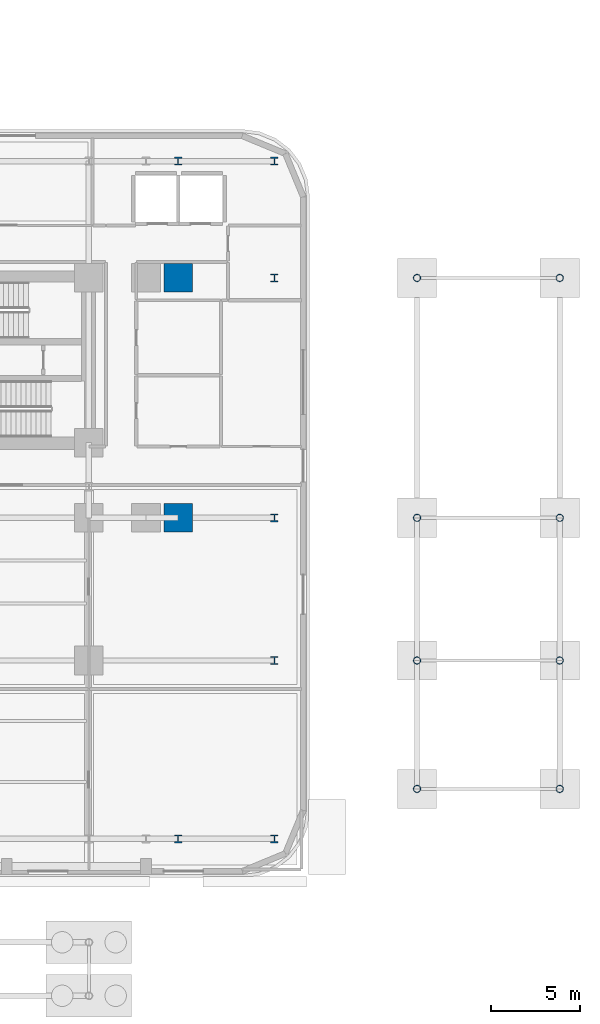
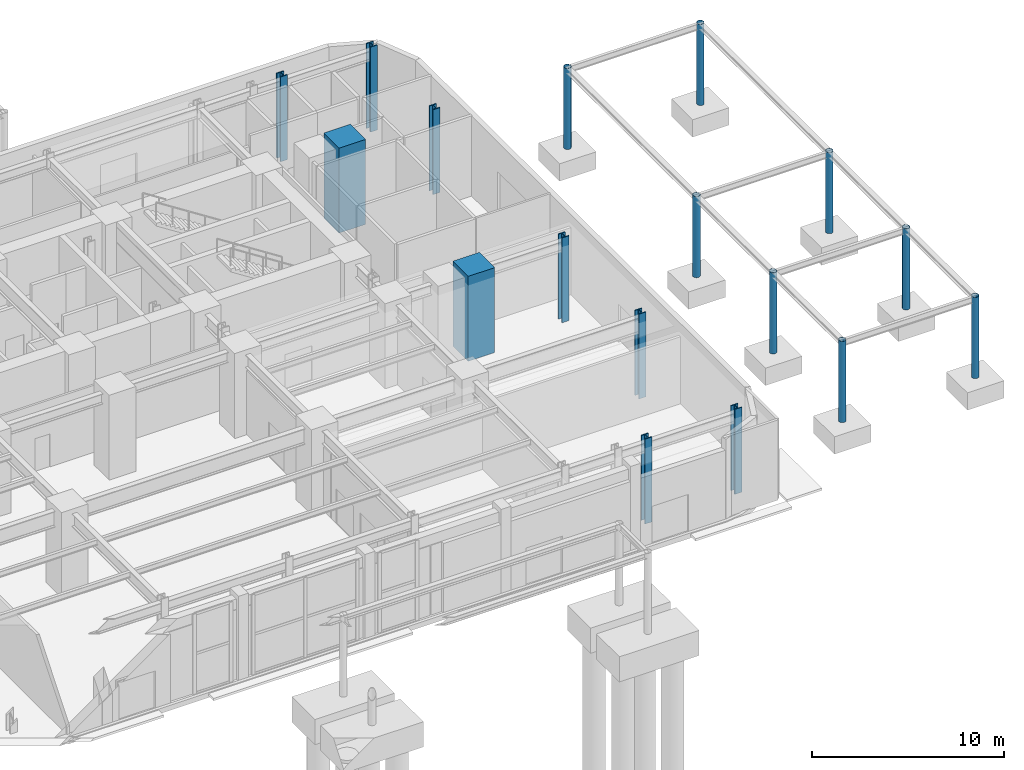
# One storey, part 6 of 21: 17 columns.
"""IFC4 building model written with IfcOpenShell, lengths in metres."""

from ifc_helpers import new_model, si_unit, direction, frame, origin, origin_2d, place, context, subcontext, project, spatial, rectangle, hollow_circle, i_section, extrude, material, material_profile, profile_set, type_object, element, save


model = new_model("IFC4")

# Units and contexts
model_context = context("Model", 3, precision=1e-05, world=origin(), true_north=direction((0.0, 1.0)))
body_context = subcontext(model_context, "Body", "Model", "MODEL_VIEW")
ifc_project = project(units=[si_unit("LENGTHUNIT", "METRE"), si_unit("AREAUNIT", "SQUARE_METRE"), si_unit("VOLUMEUNIT", "CUBIC_METRE"), si_unit("PLANEANGLEUNIT", "RADIAN"), si_unit("MASSUNIT", "GRAM", prefix="KILO")], contexts=[model_context])

# Site, building, storey
site_placement = place(None, origin())
site = spatial("IfcSite", under=ifc_project, at=site_placement, CompositionType="ELEMENT")
building_placement = place(site_placement, origin())
building = spatial("IfcBuilding", under=site, at=building_placement, Name="Zarnavel Station Tower", CompositionType="ELEMENT")
storey_placement = place(building_placement, origin())
storey = spatial("IfcBuildingStorey", under=building, at=storey_placement, Name="L01", CompositionType="ELEMENT", Elevation=0.0)

# Columns
ifc_material_1 = material(Name="Steel S355J2", Category="steel")
ifc_material_profile_1 = material_profile(ifc_material_1, hollow_circle(Radius=0.203125, WallThickness=0.01611328125, at=origin_2d()), Name="CHS406.4x16")
ifc_profile_set_1 = profile_set([ifc_material_profile_1], Name="Steel S355J2")
column_type_1 = type_object("IfcColumnType", Name="EC_CANOPY", PredefinedType="COLUMN", material=ifc_profile_set_1)
for number, where, z_axis, x_axis, name in (
    (1, (63.800048828125, 8.39990234375, 0.0), (0.0, 0.0, 1.0), (1.0, 0.0, 0.0), "L01 East Forecourt Canopy Column 1-01"),
    (2, (63.800048828125, 15.60009765625, 0.0), (0.0, 0.0, 1.0), (1.0, 0.0, 0.0), "L01 East Forecourt Canopy Column 1-02"),
    (3, (63.800048828125, 23.60009765625, 0.0), (0.0, 0.0, 1.0), (1.0, 0.0, 0.0), "L01 East Forecourt Canopy Column 1-03"),
    (4, (63.800048828125, 37.050048828125, 0.0), (0.0, 0.0, 1.0), (1.0, 0.0, 0.0), "L01 East Forecourt Canopy Column 1-04"),
    (5, (71.800048828125, 8.39990234375, 0.0), (0.0, 0.0, 1.0), (1.0, 0.0, 0.0), "L01 East Forecourt Canopy Column 2-01"),
    (6, (71.800048828125, 15.60009765625, 0.0), (0.0, 0.0, 1.0), (1.0, 0.0, 0.0), "L01 East Forecourt Canopy Column 2-02"),
    (7, (71.800048828125, 23.60009765625, 0.0), (0.0, 0.0, 1.0), (1.0, 0.0, 0.0), "L01 East Forecourt Canopy Column 2-03"),
    (8, (71.800048828125, 37.050048828125, 0.0), (0.0, 0.0, 1.0), (1.0, 0.0, 0.0), "L01 East Forecourt Canopy Column 2-04"),
):
    element("IfcColumn", number, at=place(storey_placement, frame(where, z_axis=z_axis, x_axis=x_axis)), inside=storey, type_object=column_type_1, Name=name, PredefinedType="COLUMN", context=body_context, shape_type="SweptSolid", body=[
        extrude(hollow_circle(Radius=0.203125, WallThickness=0.01611328125, at=origin_2d()), origin(), (0.0, 0.0, 1.0), 5.159912109375),
    ])
ifc_material_2 = material(Name="Steel S460M", Category="steel")
ifc_material_profile_2 = material_profile(ifc_material_2, i_section(OverallWidth=0.424072265625, OverallDepth=0.449951171875, WebThickness=0.041015625, FlangeThickness=0.06494140625, FilletRadius=0.014892578125, at=origin_2d()), Name="HD400x509")
ifc_profile_set_2 = profile_set([ifc_material_profile_2], Name="Steel S460M")
column_type_2 = type_object("IfcColumnType", Name="EC_HD509", PredefinedType="COLUMN", material=ifc_profile_set_2)
for number, where, z_axis, x_axis, name in (
    (9, (50.39990234375, 5.60009765625, 0.0), (0.0, 0.0, 1.0), (1.0, 0.0, 0.0), "L01 Perimeter Column 10-1"),
    (10, (50.39990234375, 43.60009765625, 0.0), (0.0, 0.0, 1.0), (1.0, 0.0, 0.0), "L01 Perimeter Column 10-5"),
    (11, (55.800048828125, 5.60009765625, 0.0), (0.0, 0.0, 1.0), (1.0, 0.0, 0.0), "L01 Perimeter Column 11-1"),
    (12, (55.800048828125, 15.60009765625, 0.0), (0.0, 0.0, 1.0), (1.0, 0.0, 0.0), "L01 Perimeter Column 11-2"),
    (13, (55.800048828125, 23.60009765625, 0.0), (0.0, 0.0, 1.0), (1.0, 0.0, 0.0), "L01 Perimeter Column 11-3"),
    (14, (55.800048828125, 37.050048828125, 0.0), (0.0, 0.0, 1.0), (1.0, 0.0, 0.0), "L01 Perimeter Column 11-4"),
    (15, (55.800048828125, 43.60009765625, 0.0), (0.0, 0.0, 1.0), (1.0, 0.0, 0.0), "L01 Perimeter Column 11-5"),
):
    element("IfcColumn", number, at=place(storey_placement, frame(where, z_axis=z_axis, x_axis=x_axis)), inside=storey, type_object=column_type_2, Name=name, PredefinedType="COLUMN", context=body_context, shape_type="SweptSolid", body=[
        extrude(i_section(OverallWidth=0.424072265625, OverallDepth=0.449951171875, WebThickness=0.041015625, FlangeThickness=0.06494140625, FilletRadius=0.014892578125, at=origin_2d()), origin(), (0.0, 0.0, 1.0), 5.39990234375),
    ])
ifc_material_3 = material(Name="Concrete C60/75", Category="concrete")
ifc_material_profile_3 = material_profile(ifc_material_3, rectangle(XDim=1.60009765625, YDim=1.60009765625, at=origin_2d()), Name="RC1600x1600")
ifc_profile_set_3 = profile_set([ifc_material_profile_3], Name="Concrete C60/75")
column_type_3 = type_object("IfcColumnType", Name="IC_RC1600", PredefinedType="COLUMN", material=ifc_profile_set_3)
for number, where, z_axis, x_axis, name in (
    (16, (50.39990234375, 23.60009765625, 0.0), (0.0, 0.0, 1.0), (1.0, 0.0, 0.0), "L01 Podium Column 10-3"),
    (17, (50.39990234375, 37.050048828125, 0.0), (0.0, 0.0, 1.0), (1.0, 0.0, 0.0), "L01 Podium Column 10-4"),
):
    element("IfcColumn", number, at=place(storey_placement, frame(where, z_axis=z_axis, x_axis=x_axis)), inside=storey, type_object=column_type_3, Name=name, PredefinedType="COLUMN", context=body_context, shape_type="SweptSolid", body=[
        extrude(rectangle(XDim=1.60009765625, YDim=1.60009765625, at=origin_2d()), origin(), (0.0, 0.0, 1.0), 5.39990234375),
    ])

save(model, "model.ifc")
